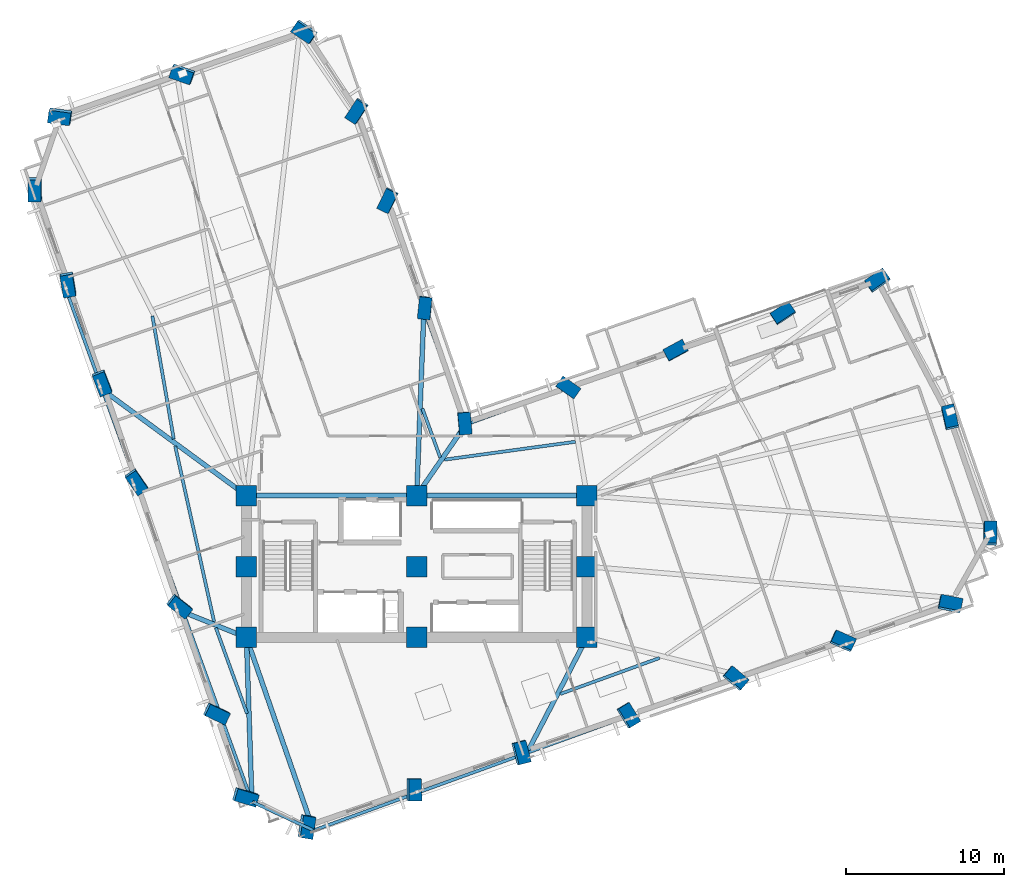
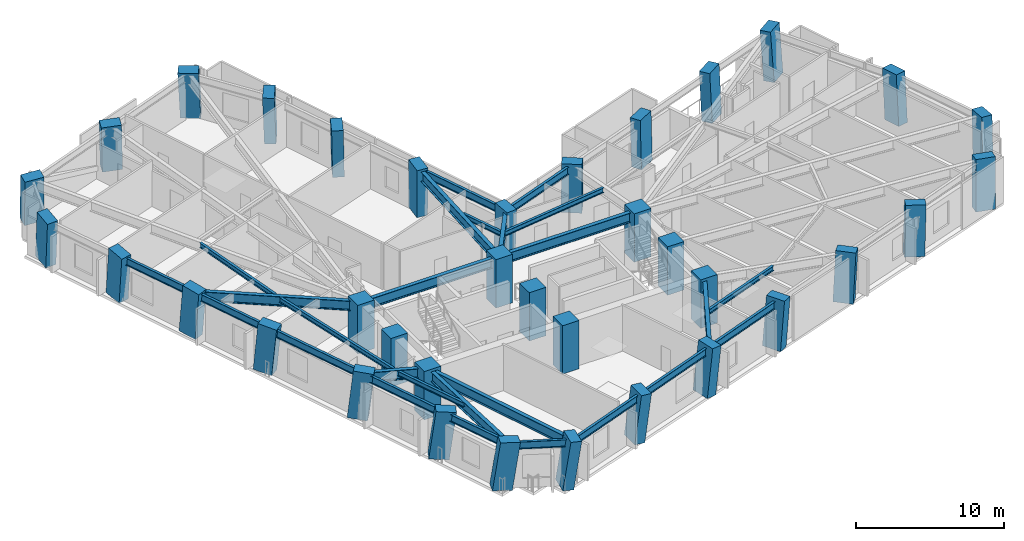
# One storey, part 1 of 15: 36 columns, 26 beams.
"""IFC4 building model written with IfcOpenShell, lengths in metres."""

from ifc_helpers import new_model, si_unit, direction, frame, origin, origin_2d, place, context, subcontext, project, spatial, rectangle, i_section, extrude, material, material_profile, profile_set, type_object, element, save


model = new_model("IFC4")

# Units and contexts
model_context = context("Model", 3, precision=1e-05, world=origin(), true_north=direction((0.0, 1.0)))
body_context = subcontext(model_context, "Body", "Model", "MODEL_VIEW")
ifc_project = project(units=[si_unit("LENGTHUNIT", "METRE"), si_unit("AREAUNIT", "SQUARE_METRE"), si_unit("VOLUMEUNIT", "CUBIC_METRE"), si_unit("PLANEANGLEUNIT", "RADIAN"), si_unit("MASSUNIT", "GRAM", prefix="KILO")], contexts=[model_context])

# Site, building, storey
site_placement = place(None, origin())
site = spatial("IfcSite", under=ifc_project, at=site_placement, CompositionType="ELEMENT")
building_placement = place(site_placement, origin())
building = spatial("IfcBuilding", under=site, at=building_placement, Name="Gaonmaruhae Medical Tower", CompositionType="ELEMENT")
storey_placement = place(building_placement, frame((0.0, 0.0, 104.39990234375)))
storey = spatial("IfcBuildingStorey", under=building, at=storey_placement, Name="L24", CompositionType="ELEMENT", Elevation=104.39990234375)

# Columns
ifc_material_1 = material(Name="Concrete C60/75", Category="concrete")
ifc_material_profile_1 = material_profile(ifc_material_1, rectangle(XDim=1.300048828125, YDim=1.300048828125, at=origin_2d()), Name="RC-1300x1300")
ifc_profile_set_1 = profile_set([ifc_material_profile_1], Name="Concrete C60/75")
column_type_1 = type_object("IfcColumnType", Name="CC-03 Zone 2 Core Column (RC-1300x1300)", PredefinedType="COLUMN", material=ifc_profile_set_1)
for number, where, z_axis, x_axis, name in (
    (1, (14.0, 7.800048828125, 0.0), (0.0, 0.0, 1.0), (1.0, 0.0, 0.0), "L24 Plumb Core Column CC11"),
    (2, (14.0, 12.300048828125, 0.0), (0.0, 0.0, 1.0), (1.0, 0.0, 0.0), "L24 Plumb Core Column CC12"),
    (3, (14.0, 16.800048828125, 0.0), (0.0, 0.0, 1.0), (1.0, 0.0, 0.0), "L24 Plumb Core Column CC13"),
    (4, (24.800048828125, 7.800048828125, 0.0), (0.0, 0.0, 1.0), (1.0, 0.0, 0.0), "L24 Plumb Core Column CC21"),
    (5, (24.800048828125, 12.300048828125, 0.0), (0.0, 0.0, 1.0), (1.0, 0.0, 0.0), "L24 Plumb Core Column CC22"),
    (6, (24.800048828125, 16.800048828125, 0.0), (0.0, 0.0, 1.0), (1.0, 0.0, 0.0), "L24 Plumb Core Column CC23"),
    (7, (35.60009765625, 7.800048828125, 0.0), (0.0, 0.0, 1.0), (1.0, 0.0, 0.0), "L24 Plumb Core Column CC31"),
    (8, (35.60009765625, 12.300048828125, 0.0), (0.0, 0.0, 1.0), (1.0, 0.0, 0.0), "L24 Plumb Core Column CC32"),
    (9, (35.60009765625, 16.800048828125, 0.0), (0.0, 0.0, 1.0), (1.0, 0.0, 0.0), "L24 Plumb Core Column CC33"),
):
    element("IfcColumn", number, at=place(storey_placement, frame(where, z_axis=z_axis, x_axis=x_axis)), inside=storey, type_object=column_type_1, Name=name, PredefinedType="COLUMN", context=body_context, shape_type="SweptSolid", body=[
        extrude(rectangle(XDim=1.300048828125, YDim=1.300048828125, at=origin_2d()), origin(), (0.0, 0.0, 1.0), 4.0),
    ])
ifc_material_profile_2 = material_profile(ifc_material_1, rectangle(XDim=1.39990234375, YDim=0.800048828125, at=origin_2d()), Name="RC-1400x800")
ifc_profile_set_2 = profile_set([ifc_material_profile_2], Name="Concrete C60/75")
column_type_2 = type_object("IfcColumnType", Name="TC-02 Mid Raking Tube Pier Column (RC-1400x800)", PredefinedType="COLUMN", material=ifc_profile_set_2)
column_1_placement = place(storey_placement, frame((17.7734375, -4.181884765625, 0.001953125), z_axis=(0.119540750014, -0.063976998868, 0.990765841509), x_axis=(0.161760568427, 0.985842286743, 0.044141864161)))
element("IfcColumn", 10, at=column_1_placement, inside=storey, type_object=column_type_2, Name="L24 Perimeter Tube Column S01", PredefinedType="COLUMN", context=body_context, shape_type="SweptSolid", body=[
    extrude(rectangle(XDim=1.39990234375, YDim=0.800048828125, at=origin_2d()), origin(), (0.0, 0.0, 1.0), 4.03369140625),
])
column_2_placement = place(storey_placement, frame((24.5810546875, -1.837646484375, 0.001953125), z_axis=(0.110012715374, -0.036225918962, 0.993269794795), x_axis=(-0.011425164506, 0.999223466289, 0.037708487545)))
element("IfcColumn", 11, at=column_2_placement, inside=storey, type_object=column_type_2, Name="L24 Perimeter Tube Column S02", PredefinedType="COLUMN", context=body_context, shape_type="SweptSolid", body=[
    extrude(rectangle(XDim=1.39990234375, YDim=0.800048828125, at=origin_2d()), origin(), (0.0, 0.0, 1.0), 4.0234375),
])
column_3_placement = place(storey_placement, frame((31.388916015625, 0.506591796875, 0.001953125), z_axis=(0.100228414923, -0.008327042356, 0.994929608167), x_axis=(-0.244520655931, 0.969091071717, 0.032743603058)))
element("IfcColumn", 12, at=column_3_placement, inside=storey, type_object=column_type_2, Name="L24 Perimeter Tube Column S03", PredefinedType="COLUMN", context=body_context, shape_type="SweptSolid", body=[
    extrude(rectangle(XDim=1.39990234375, YDim=0.800048828125, at=origin_2d()), origin(), (0.0, 0.0, 1.0), 4.0166015625),
])
column_4_placement = place(storey_placement, frame((38.196533203125, 2.8505859375, 0.001953125), z_axis=(0.090452237625, 0.019769318916, 0.995704557958), x_axis=(-0.518581513534, 0.854496683427, 0.030143520588)))
element("IfcColumn", 13, at=column_4_placement, inside=storey, type_object=column_type_2, Name="L24 Perimeter Tube Column S04", PredefinedType="COLUMN", context=body_context, shape_type="SweptSolid", body=[
    extrude(rectangle(XDim=1.39990234375, YDim=0.800048828125, at=origin_2d()), origin(), (0.0, 0.0, 1.0), 4.013671875),
])
column_5_placement = place(storey_placement, frame((45.00439453125, 5.19482421875, 0.001953125), z_axis=(0.080468927595, 0.047746113501, 0.995612906876), x_axis=(-0.761244761344, 0.647748745113, 0.030462707212)))
element("IfcColumn", 14, at=column_5_placement, inside=storey, type_object=column_type_2, Name="L24 Perimeter Tube Column S05", PredefinedType="COLUMN", context=body_context, shape_type="SweptSolid", body=[
    extrude(rectangle(XDim=1.39990234375, YDim=0.800048828125, at=origin_2d()), origin(), (0.0, 0.0, 1.0), 4.013916015625),
])
column_6_placement = place(storey_placement, frame((51.81201171875, 7.538818359375, 0.001953125), z_axis=(0.070545957231, 0.075710820594, 0.994631157547), x_axis=(-0.912513417221, 0.407656941268, 0.033690972483)))
element("IfcColumn", 15, at=column_6_placement, inside=storey, type_object=column_type_2, Name="L24 Perimeter Tube Column S06", PredefinedType="COLUMN", context=body_context, shape_type="SweptSolid", body=[
    extrude(rectangle(XDim=1.39990234375, YDim=0.800048828125, at=origin_2d()), origin(), (0.0, 0.0, 1.0), 4.017822265625),
])
column_7_placement = place(storey_placement, frame((58.619873046875, 9.883056640625, 0.001953125), z_axis=(0.060529263913, 0.103469863963, 0.992789099186), x_axis=(-0.979335478518, 0.198441171378, 0.03902719587)))
element("IfcColumn", 16, at=column_7_placement, inside=storey, type_object=column_type_2, Name="L24 Perimeter Tube Column S07", PredefinedType="COLUMN", context=body_context, shape_type="SweptSolid", body=[
    extrude(rectangle(XDim=1.39990234375, YDim=0.800048828125, at=origin_2d()), origin(), (0.0, 0.0, 1.0), 4.025390625),
])
column_8_placement = place(storey_placement, frame((61.153076171875, 14.351318359375, 0.001953125), z_axis=(0.042023929581, 0.113701108175, 0.992625834513), x_axis=(-0.019996417235, -0.993208774939, 0.114614452328)))
element("IfcColumn", 17, at=column_8_placement, inside=storey, type_object=column_type_2, Name="L24 Perimeter Tube Column E01", PredefinedType="COLUMN", context=body_context, shape_type="SweptSolid", body=[
    extrude(rectangle(XDim=1.39990234375, YDim=0.800048828125, at=origin_2d()), origin(), (0.0, 0.0, 1.0), 4.026123046875),
])
column_9_placement = place(storey_placement, frame((58.613525390625, 21.726318359375, 0.001953125), z_axis=(0.011848275116, 0.103231894472, 0.994586745508), x_axis=(0.216215786145, -0.971389712684, 0.098248460111)))
element("IfcColumn", 18, at=column_9_placement, inside=storey, type_object=column_type_2, Name="L24 Perimeter Tube Column E02", PredefinedType="COLUMN", context=body_context, shape_type="SweptSolid", body=[
    extrude(rectangle(XDim=1.39990234375, YDim=0.800048828125, at=origin_2d()), origin(), (0.0, 0.0, 1.0), 4.01806640625),
])
column_10_placement = place(storey_placement, frame((54.037109375, 30.409423828125, 0.001953125), z_axis=(-0.02385577357, 0.084225486278, 0.99616111625), x_axis=(-0.821349490594, -0.569712887579, 0.028499825041)))
element("IfcColumn", 19, at=column_10_placement, inside=storey, type_object=column_type_2, Name="L24 Perimeter Tube Column E03", PredefinedType="COLUMN", context=body_context, shape_type="SweptSolid", body=[
    extrude(rectangle(XDim=1.39990234375, YDim=0.800048828125, at=origin_2d()), origin(), (0.0, 0.0, 1.0), 4.01171875),
])
column_11_placement = place(storey_placement, frame((48.033203125, 28.342041015625, 0.001953125), z_axis=(-0.015182907326, 0.059573094205, 0.998108473951), x_axis=(-0.835977482672, -0.548398618268, 0.020015092972)))
element("IfcColumn", 20, at=column_11_placement, inside=storey, type_object=column_type_2, Name="L24 Perimeter Tube Column EN01", PredefinedType="COLUMN", context=body_context, shape_type="SweptSolid", body=[
    extrude(rectangle(XDim=1.39990234375, YDim=0.800048828125, at=origin_2d()), origin(), (0.0, 0.0, 1.0), 4.00390625),
])
column_12_placement = place(storey_placement, frame((41.225341796875, 25.998046875, 0.001953125), z_axis=(-0.005190094383, 0.0315069259, 0.99949005825), x_axis=(-0.88005504848, -0.474757872015, 0.010395893631)))
element("IfcColumn", 21, at=column_12_placement, inside=storey, type_object=column_type_2, Name="L24 Perimeter Tube Column EN02", PredefinedType="COLUMN", context=body_context, shape_type="SweptSolid", body=[
    extrude(rectangle(XDim=1.39990234375, YDim=0.800048828125, at=origin_2d()), origin(), (0.0, 0.0, 1.0), 3.998291015625),
])
column_13_placement = place(storey_placement, frame((34.417724609375, 23.65380859375, 0.001953125), z_axis=(0.004703934114, 0.003421042992, 0.999983084591), x_axis=(-0.819421526398, 0.573188255481, 0.001893635239)))
element("IfcColumn", 22, at=column_13_placement, inside=storey, type_object=column_type_2, Name="L24 Perimeter Tube Column EN03", PredefinedType="COLUMN", context=body_context, shape_type="SweptSolid", body=[
    extrude(rectangle(XDim=1.39990234375, YDim=0.800048828125, at=origin_2d()), origin(), (0.0, 0.0, 1.0), 3.996337890625),
])
column_14_placement = place(storey_placement, frame((27.846435546875, 21.39111328125, 0.001953125), z_axis=(0.014289820189, -0.023755299374, 0.99961566954), x_axis=(-0.087476556441, 0.9958549209, 0.024916432185)))
element("IfcColumn", 23, at=column_14_placement, inside=storey, type_object=column_type_2, Name="L24 Perimeter Tube Column KN01", PredefinedType="COLUMN", context=body_context, shape_type="SweptSolid", body=[
    extrude(rectangle(XDim=1.39990234375, YDim=0.800048828125, at=origin_2d()), origin(), (0.0, 0.0, 1.0), 3.997802734375),
])
column_15_placement = place(storey_placement, frame((25.3232421875, 28.71875, 0.001953125), z_axis=(-0.015933294599, -0.03443056764, 0.999280073921), x_axis=(0.101345028105, 0.994204412113, 0.035871607353)))
element("IfcColumn", 24, at=column_15_placement, inside=storey, type_object=column_type_2, Name="L24 Perimeter Tube Column NE01", PredefinedType="COLUMN", context=body_context, shape_type="SweptSolid", body=[
    extrude(rectangle(XDim=1.39990234375, YDim=0.800048828125, at=origin_2d()), origin(), (0.0, 0.0, 1.0), 3.999267578125),
])
column_16_placement = place(storey_placement, frame((22.97900390625, 35.526611328125, 0.001953125), z_axis=(-0.044021610011, -0.044326468806, 0.998046723363), x_axis=(0.433965713983, 0.898990928956, 0.059068339596)))
element("IfcColumn", 25, at=column_16_placement, inside=storey, type_object=column_type_2, Name="L24 Perimeter Tube Column NE02", PredefinedType="COLUMN", context=body_context, shape_type="SweptSolid", body=[
    extrude(rectangle(XDim=1.39990234375, YDim=0.800048828125, at=origin_2d()), origin(), (0.0, 0.0, 1.0), 4.004150390625),
])
column_17_placement = place(storey_placement, frame((21.025634765625, 41.19970703125, 0.001953125), z_axis=(-0.067319967369, -0.052529052296, 0.996347690647), x_axis=(0.542435460249, 0.836208902445, 0.080736874693)))
element("IfcColumn", 26, at=column_17_placement, inside=storey, type_object=column_type_2, Name="L24 Perimeter Tube Column NE03", PredefinedType="COLUMN", context=body_context, shape_type="SweptSolid", body=[
    extrude(rectangle(XDim=1.39990234375, YDim=0.800048828125, at=origin_2d()), origin(), (0.0, 0.0, 1.0), 4.010986328125),
])
column_18_placement = place(storey_placement, frame((17.70263671875, 46.242431640625, 0.001953125), z_axis=(-0.087802098042, -0.066185537252, 0.993936751629), x_axis=(0.827550237505, -0.560249192441, 0.03579730122)))
element("IfcColumn", 27, at=column_18_placement, inside=storey, type_object=column_type_2, Name="L24 Perimeter Tube Column N01", PredefinedType="COLUMN", context=body_context, shape_type="SweptSolid", body=[
    extrude(rectangle(XDim=1.39990234375, YDim=0.800048828125, at=origin_2d()), origin(), (0.0, 0.0, 1.0), 4.020751953125),
])
column_19_placement = place(storey_placement, frame((9.949462890625, 43.57275390625, 0.001953125), z_axis=(-0.076379070002, -0.097898569883, 0.99226110862), x_axis=(0.944191003905, -0.326908449658, 0.040425408927)))
element("IfcColumn", 28, at=column_19_placement, inside=storey, type_object=column_type_2, Name="L24 Perimeter Tube Column N02", PredefinedType="COLUMN", context=body_context, shape_type="SweptSolid", body=[
    extrude(rectangle(XDim=1.39990234375, YDim=0.800048828125, at=origin_2d()), origin(), (0.0, 0.0, 1.0), 4.027587890625),
])
column_20_placement = place(storey_placement, frame((2.1962890625, 40.903076171875, 0.001953125), z_axis=(-0.064981154168, -0.129357832483, 0.989466523324), x_axis=(0.989509068542, -0.136567126469, 0.047129855094)))
element("IfcColumn", 29, at=column_20_placement, inside=storey, type_object=column_type_2, Name="L24 Perimeter Tube Column N03", PredefinedType="COLUMN", context=body_context, shape_type="SweptSolid", body=[
    extrude(rectangle(XDim=1.39990234375, YDim=0.800048828125, at=origin_2d()), origin(), (0.0, 0.0, 1.0), 4.038818359375),
])
column_21_placement = place(storey_placement, frame((0.613037109375, 36.2861328125, 0.001953125), z_axis=(-0.045950038231, -0.135733994511, 0.989679178684), x_axis=(-0.008321349387, 0.990743278816, 0.13549358149)))
element("IfcColumn", 30, at=column_21_placement, inside=storey, type_object=column_type_2, Name="L24 Perimeter Tube Column W01", PredefinedType="COLUMN", context=body_context, shape_type="SweptSolid", body=[
    extrude(rectangle(XDim=1.39990234375, YDim=0.800048828125, at=origin_2d()), origin(), (0.0, 0.0, 1.0), 4.0380859375),
])
column_22_placement = place(storey_placement, frame((2.69677734375, 30.23486328125, 0.001953125), z_axis=(-0.02126385017, -0.1272196164, 0.991646619456), x_axis=(-0.166541332552, 0.978463301857, 0.121957170638)))
element("IfcColumn", 31, at=column_22_placement, inside=storey, type_object=column_type_2, Name="L24 Perimeter Tube Column W02", PredefinedType="COLUMN", context=body_context, shape_type="SweptSolid", body=[
    extrude(rectangle(XDim=1.39990234375, YDim=0.800048828125, at=origin_2d()), origin(), (0.0, 0.0, 1.0), 4.030029296875),
])
column_23_placement = place(storey_placement, frame((4.845703125, 23.994384765625, 0.001953125), z_axis=(0.004306973626, -0.11829012071, 0.992969736357), x_axis=(-0.359514473888, 0.926403444475, 0.111919619059)))
element("IfcColumn", 32, at=column_23_placement, inside=storey, type_object=column_type_2, Name="L24 Perimeter Tube Column W03", PredefinedType="COLUMN", context=body_context, shape_type="SweptSolid", body=[
    extrude(rectangle(XDim=1.39990234375, YDim=0.800048828125, at=origin_2d()), origin(), (0.0, 0.0, 1.0), 4.024658203125),
])
column_24_placement = place(storey_placement, frame((7.0107421875, 17.706787109375, 0.001953125), z_axis=(0.0301059691, -0.109255533023, 0.993557677807), x_axis=(-0.563432912957, 0.819183444414, 0.107153334032)))
element("IfcColumn", 33, at=column_24_placement, inside=storey, type_object=column_type_2, Name="L24 Perimeter Tube Column W04", PredefinedType="COLUMN", context=body_context, shape_type="SweptSolid", body=[
    extrude(rectangle(XDim=1.39990234375, YDim=0.800048828125, at=origin_2d()), origin(), (0.0, 0.0, 1.0), 4.022216796875),
])
column_25_placement = place(storey_placement, frame((9.729248046875, 9.811767578125, 0.001953125), z_axis=(0.062498480649, -0.097813156122, 0.993240417223), x_axis=(-0.780001270901, 0.616078452435, 0.109751345492)))
element("IfcColumn", 34, at=column_25_placement, inside=storey, type_object=column_type_2, Name="L24 Perimeter Tube Column W05", PredefinedType="COLUMN", context=body_context, shape_type="SweptSolid", body=[
    extrude(rectangle(XDim=1.39990234375, YDim=0.800048828125, at=origin_2d()), origin(), (0.0, 0.0, 1.0), 4.0234375),
])
column_26_placement = place(storey_placement, frame((12.073486328125, 3.00390625, 0.001953125), z_axis=(0.090361322015, -0.087755328154, 0.992035197896), x_axis=(-0.899708448395, 0.4199288869, 0.119098437582)))
element("IfcColumn", 35, at=column_26_placement, inside=storey, type_object=column_type_2, Name="L24 Perimeter Tube Column W06", PredefinedType="COLUMN", context=body_context, shape_type="SweptSolid", body=[
    extrude(rectangle(XDim=1.39990234375, YDim=0.800048828125, at=origin_2d()), origin(), (0.0, 0.0, 1.0), 4.0283203125),
])
column_27_placement = place(storey_placement, frame((13.896728515625, -2.291015625, 0.001953125), z_axis=(0.111884441376, -0.079934746921, 0.990501038875), x_axis=(-0.951295663256, 0.279522776838, 0.130013761962)))
element("IfcColumn", 36, at=column_27_placement, inside=storey, type_object=column_type_2, Name="L24 Perimeter Tube Column W07", PredefinedType="COLUMN", context=body_context, shape_type="SweptSolid", body=[
    extrude(rectangle(XDim=1.39990234375, YDim=0.800048828125, at=origin_2d()), origin(), (0.0, 0.0, 1.0), 4.03466796875),
])

# Beams
ifc_material_2 = material(Name="Steel SM355", Category="steel")
ifc_material_profile_3 = material_profile(ifc_material_2, i_section(OverallWidth=0.199951171875, OverallDepth=0.39990234375, WebThickness=0.008056640625, FlangeThickness=0.012939453125, FilletRadius=0.012939453125, at=origin_2d()), Name="H-400x200x8x13")
ifc_profile_set_3 = profile_set([ifc_material_profile_3], Name="Steel SM355")
beam_type_1 = type_object("IfcBeamType", Name="FJ-01 Lower Zone Ward Floor Joist (H-400x200x8x13)", PredefinedType="JOIST", material=ifc_profile_set_3)
beam_1_placement = place(storey_placement, frame((33.909912109375, 4.21435546875, 3.580078125), z_axis=(0.940000798041, 0.341172243422, 0.0), x_axis=(-0.341172243422, 0.940000798041, 0.0)))
element("IfcBeam", 37, at=beam_1_placement, inside=storey, type_object=beam_type_1, Name="L24 Secondary Floor Joist FJ02", PredefinedType="JOIST", context=body_context, shape_type="SweptSolid", body=[
    extrude(i_section(OverallWidth=0.199951171875, OverallDepth=0.39990234375, WebThickness=0.008056640625, FlangeThickness=0.012939453125, FilletRadius=0.012939453125, at=origin_2d()), origin(), (0.0, 0.0, 1.0), 6.697265625),
])
beam_2_placement = place(storey_placement, frame((34.86376953125, 20.212646484375, 3.580078125), z_axis=(-0.9907698076, -0.135555111847, 0.0), x_axis=(0.135555111847, -0.9907698076, 0.0)))
element("IfcBeam", 38, at=beam_2_placement, inside=storey, type_object=beam_type_1, Name="L24 Secondary Floor Joist FJ08", PredefinedType="JOIST", context=body_context, shape_type="SweptSolid", body=[
    extrude(i_section(OverallWidth=0.199951171875, OverallDepth=0.39990234375, WebThickness=0.008056640625, FlangeThickness=0.012939453125, FilletRadius=0.012939453125, at=origin_2d()), origin(), (0.0, 0.0, 1.0), 8.382080078125),
])
beam_3_placement = place(storey_placement, frame((26.286865234375, 19.226806640625, 3.580078125), z_axis=(-0.341140144168, 0.94001244781, 0.0), x_axis=(-0.94001244781, -0.341140144168, 0.0)))
element("IfcBeam", 39, at=beam_3_placement, inside=storey, type_object=beam_type_1, Name="L24 Secondary Floor Joist FJ09", PredefinedType="JOIST", context=body_context, shape_type="SweptSolid", body=[
    extrude(i_section(OverallWidth=0.199951171875, OverallDepth=0.39990234375, WebThickness=0.008056640625, FlangeThickness=0.012939453125, FilletRadius=0.012939453125, at=origin_2d()), origin(), (0.0, 0.0, 1.0), 3.2841796875),
])
beam_4_placement = place(storey_placement, frame((8.035400390625, 28.1953125, 3.580078125), z_axis=(0.171151573426, -0.985244710168, 0.0), x_axis=(0.985244710168, 0.171151573426, 0.0)))
element("IfcBeam", 40, at=beam_4_placement, inside=storey, type_object=beam_type_1, Name="L24 Secondary Floor Joist FJ13", PredefinedType="JOIST", context=body_context, shape_type="SweptSolid", body=[
    extrude(i_section(OverallWidth=0.199951171875, OverallDepth=0.39990234375, WebThickness=0.008056640625, FlangeThickness=0.012939453125, FilletRadius=0.012939453125, at=origin_2d()), origin(), (0.0, 0.0, 1.0), 7.93408203125),
])
beam_5_placement = place(storey_placement, frame((9.48193359375, 19.9306640625, 3.580078125), z_axis=(0.216334485145, -0.976319307674, 0.0), x_axis=(0.976319307674, 0.216334485145, 0.0)))
element("IfcBeam", 41, at=beam_5_placement, inside=storey, type_object=beam_type_1, Name="L24 Secondary Floor Joist FJ14", PredefinedType="JOIST", context=body_context, shape_type="SweptSolid", body=[
    extrude(i_section(OverallWidth=0.199951171875, OverallDepth=0.39990234375, WebThickness=0.008056640625, FlangeThickness=0.012939453125, FilletRadius=0.012939453125, at=origin_2d()), origin(), (0.0, 0.0, 1.0), 11.408447265625),
])
beam_6_placement = place(storey_placement, frame((12.061279296875, 8.4140625, 3.580078125), z_axis=(0.341181175717, -0.939997556027, 0.0), x_axis=(0.939997556027, 0.341181175717, 0.0)))
element("IfcBeam", 42, at=beam_6_placement, inside=storey, type_object=beam_type_1, Name="L24 Secondary Floor Joist FJ15", PredefinedType="JOIST", context=body_context, shape_type="SweptSolid", body=[
    extrude(i_section(OverallWidth=0.199951171875, OverallDepth=0.39990234375, WebThickness=0.008056640625, FlangeThickness=0.012939453125, FilletRadius=0.012939453125, at=origin_2d()), origin(), (0.0, 0.0, 1.0), 5.791748046875),
])
ifc_material_3 = material(Name="Steel SM420", Category="steel")
ifc_material_profile_4 = material_profile(ifc_material_3, i_section(OverallWidth=0.300048828125, OverallDepth=0.800048828125, WebThickness=0.013916015625, FlangeThickness=0.02587890625, FilletRadius=0.01806640625, at=origin_2d()), Name="H-800x300x14x26")
ifc_profile_set_4 = profile_set([ifc_material_profile_4], Name="Steel SM420")
beam_type_2 = type_object("IfcBeamType", Name="PG-02 Zone 2 Radial Floor Girder (H-800x300x14x26)", PredefinedType="BEAM", material=ifc_profile_set_4)
for number, where, z_axis, x_axis, name in (
    (43, (14.050048828125, 16.800048828125, 3.380126953125), (1.0, 0.0, 0.0), (0.0, 1.0, 0.0), "L24 Beam BM-L24-CG-N1"),
    (44, (24.85009765625, 16.800048828125, 3.380126953125), (1.0, 0.0, 0.0), (0.0, 1.0, 0.0), "L24 Beam BM-L24-CG-N2"),
):
    element("IfcBeam", number, at=place(storey_placement, frame(where, z_axis=z_axis, x_axis=x_axis)), inside=storey, type_object=beam_type_2, Name=name, PredefinedType="BEAM", context=body_context, shape_type="SweptSolid", body=[
        extrude(i_section(OverallWidth=0.300048828125, OverallDepth=0.800048828125, WebThickness=0.013916015625, FlangeThickness=0.02587890625, FilletRadius=0.01806640625, at=origin_2d()), origin(), (0.0, 0.0, 1.0), 10.699951171875),
    ])
beam_7_placement = place(storey_placement, frame((14.016357421875, 7.752685546875, 3.380126953125), z_axis=(0.328424891356, -0.944530089906, 0.0), x_axis=(0.944530089906, 0.328424891356, 0.0)))
element("IfcBeam", 45, at=beam_7_placement, inside=storey, type_object=beam_type_2, Name="L24 Radial Primary Girder S01", PredefinedType="BEAM", context=body_context, shape_type="SweptSolid", body=[
    extrude(i_section(OverallWidth=0.300048828125, OverallDepth=0.800048828125, WebThickness=0.013916015625, FlangeThickness=0.02587890625, FilletRadius=0.01806640625, at=origin_2d()), origin(), (0.0, 0.0, 1.0), 12.85888671875),
])
beam_8_placement = place(storey_placement, frame((35.576904296875, 7.755615234375, 3.380126953125), z_axis=(-0.461177450184, -0.887307928197, 0.0), x_axis=(0.887307928197, -0.461177450184, 0.0)))
element("IfcBeam", 46, at=beam_8_placement, inside=storey, type_object=beam_type_2, Name="L24 Radial Primary Girder S03", PredefinedType="BEAM", context=body_context, shape_type="SweptSolid", body=[
    extrude(i_section(OverallWidth=0.300048828125, OverallDepth=0.800048828125, WebThickness=0.013916015625, FlangeThickness=0.02587890625, FilletRadius=0.01806640625, at=origin_2d()), origin(), (0.0, 0.0, 1.0), 8.1572265625),
])
beam_9_placement = place(storey_placement, frame((24.828369140625, 16.841064453125, 3.380126953125), z_axis=(0.568073288796, 0.822977969666, 0.0), x_axis=(-0.822977969666, 0.568073288796, 0.0)))
element("IfcBeam", 47, at=beam_9_placement, inside=storey, type_object=beam_type_2, Name="L24 Radial Primary Girder KN01", PredefinedType="BEAM", context=body_context, shape_type="SweptSolid", body=[
    extrude(i_section(OverallWidth=0.300048828125, OverallDepth=0.800048828125, WebThickness=0.013916015625, FlangeThickness=0.02587890625, FilletRadius=0.01806640625, at=origin_2d()), origin(), (0.0, 0.0, 1.0), 5.363525390625),
])
beam_10_placement = place(storey_placement, frame((24.802001953125, 16.849853515625, 3.380126953125), z_axis=(0.038949646588, 0.999241174607, 0.0), x_axis=(-0.999241174607, 0.038949646588, 0.0)))
element("IfcBeam", 48, at=beam_10_placement, inside=storey, type_object=beam_type_2, Name="L24 Radial Primary Girder NE01", PredefinedType="BEAM", context=body_context, shape_type="SweptSolid", body=[
    extrude(i_section(OverallWidth=0.300048828125, OverallDepth=0.800048828125, WebThickness=0.013916015625, FlangeThickness=0.02587890625, FilletRadius=0.01806640625, at=origin_2d()), origin(), (0.0, 0.0, 1.0), 11.68994140625),
])
beam_11_placement = place(storey_placement, frame((13.959716796875, 16.82958984375, 3.380126953125), z_axis=(-0.805668999719, 0.592365987285, 0.0), x_axis=(-0.592365987285, -0.805668999719, 0.0)))
element("IfcBeam", 49, at=beam_11_placement, inside=storey, type_object=beam_type_2, Name="L24 Radial Primary Girder W03", PredefinedType="BEAM", context=body_context, shape_type="SweptSolid", body=[
    extrude(i_section(OverallWidth=0.300048828125, OverallDepth=0.800048828125, WebThickness=0.013916015625, FlangeThickness=0.02587890625, FilletRadius=0.01806640625, at=origin_2d()), origin(), (0.0, 0.0, 1.0), 11.24072265625),
])
beam_12_placement = place(storey_placement, frame((13.95361328125, 7.818603515625, 3.380126953125), z_axis=(-0.927634953362, 0.373488143454, 0.0), x_axis=(-0.373488143454, -0.927634953362, 0.0)))
element("IfcBeam", 50, at=beam_12_placement, inside=storey, type_object=beam_type_2, Name="L24 Radial Primary Girder W05", PredefinedType="BEAM", context=body_context, shape_type="SweptSolid", body=[
    extrude(i_section(OverallWidth=0.300048828125, OverallDepth=0.800048828125, WebThickness=0.013916015625, FlangeThickness=0.02587890625, FilletRadius=0.01806640625, at=origin_2d()), origin(), (0.0, 0.0, 1.0), 4.232666015625),
])
beam_13_placement = place(storey_placement, frame((14.001708984375, 7.75, 3.380126953125), z_axis=(0.033429051119, -0.999441093082, 0.0), x_axis=(0.999441093082, 0.033429051119, 0.0)))
element("IfcBeam", 51, at=beam_13_placement, inside=storey, type_object=beam_type_2, Name="L24 Radial Primary Girder W07", PredefinedType="BEAM", context=body_context, shape_type="SweptSolid", body=[
    extrude(i_section(OverallWidth=0.300048828125, OverallDepth=0.800048828125, WebThickness=0.013916015625, FlangeThickness=0.02587890625, FilletRadius=0.01806640625, at=origin_2d()), origin(), (0.0, 0.0, 1.0), 10.319580078125),
])
ifc_material_profile_5 = material_profile(ifc_material_2, i_section(OverallWidth=0.199951171875, OverallDepth=0.60009765625, WebThickness=0.010986328125, FlangeThickness=0.01708984375, FilletRadius=0.012939453125, at=origin_2d()), Name="H-600x200x11x17")
ifc_profile_set_5 = profile_set([ifc_material_profile_5], Name="Steel SM355")
beam_type_3 = type_object("IfcBeamType", Name="SP-01 Lower Perimeter Spandrel Beam (H-600x200x11x17)", PredefinedType="SPANDREL", material=ifc_profile_set_5)
beam_14_placement = place(storey_placement, frame((18.29345703125, -4.426513671875, 3.47998046875), z_axis=(0.939988490084, 0.341206152507, 0.0), x_axis=(-0.341206152507, 0.939988490084, 0.0)))
element("IfcBeam", 52, at=beam_14_placement, inside=storey, type_object=beam_type_3, Name="L24 Perimeter Spandrel Beam S01-S02", PredefinedType="SPANDREL", context=body_context, shape_type="SweptSolid", body=[
    extrude(i_section(OverallWidth=0.199951171875, OverallDepth=0.60009765625, WebThickness=0.010986328125, FlangeThickness=0.01708984375, FilletRadius=0.012939453125, at=origin_2d()), origin(), (0.0, 0.0, 1.0), 7.1201171875),
])
beam_15_placement = place(storey_placement, frame((25.0615234375, -1.9697265625, 3.47998046875), z_axis=(0.939995495643, 0.341186852283, 0.0), x_axis=(-0.341186852283, 0.939995495643, 0.0)))
element("IfcBeam", 53, at=beam_15_placement, inside=storey, type_object=beam_type_3, Name="L24 Perimeter Spandrel Beam S02-S03", PredefinedType="SPANDREL", context=body_context, shape_type="SweptSolid", body=[
    extrude(i_section(OverallWidth=0.199951171875, OverallDepth=0.60009765625, WebThickness=0.010986328125, FlangeThickness=0.01708984375, FilletRadius=0.012939453125, at=origin_2d()), origin(), (0.0, 0.0, 1.0), 7.119873046875),
])
beam_16_placement = place(storey_placement, frame((31.829345703125, 0.48681640625, 3.47998046875), z_axis=(0.939988490084, 0.341206152507, 0.0), x_axis=(-0.341206152507, 0.939988490084, 0.0)))
element("IfcBeam", 54, at=beam_16_placement, inside=storey, type_object=beam_type_3, Name="L24 Perimeter Spandrel Beam S03-S04", PredefinedType="SPANDREL", context=body_context, shape_type="SweptSolid", body=[
    extrude(i_section(OverallWidth=0.199951171875, OverallDepth=0.60009765625, WebThickness=0.010986328125, FlangeThickness=0.01708984375, FilletRadius=0.012939453125, at=origin_2d()), origin(), (0.0, 0.0, 1.0), 7.1201171875),
])
beam_17_placement = place(storey_placement, frame((34.39892578125, 23.65380859375, 3.47998046875), z_axis=(-0.939993515355, -0.341192308076, 0.0), x_axis=(0.341192308076, -0.939993515355, 0.0)))
element("IfcBeam", 55, at=beam_17_placement, inside=storey, type_object=beam_type_3, Name="L24 Perimeter Spandrel Beam EN03-KN01", PredefinedType="SPANDREL", context=body_context, shape_type="SweptSolid", body=[
    extrude(i_section(OverallWidth=0.199951171875, OverallDepth=0.60009765625, WebThickness=0.010986328125, FlangeThickness=0.01708984375, FilletRadius=0.012939453125, at=origin_2d()), origin(), (0.0, 0.0, 1.0), 6.8701171875),
])
beam_18_placement = place(storey_placement, frame((27.89013671875, 21.333740234375, 3.47998046875), z_axis=(-0.341221642861, 0.939982867101, 0.0), x_axis=(-0.939982867101, -0.341221642861, 0.0)))
element("IfcBeam", 56, at=beam_18_placement, inside=storey, type_object=beam_type_3, Name="L24 Perimeter Spandrel Beam KN01-NE01", PredefinedType="SPANDREL", context=body_context, shape_type="SweptSolid", body=[
    extrude(i_section(OverallWidth=0.199951171875, OverallDepth=0.60009765625, WebThickness=0.010986328125, FlangeThickness=0.01708984375, FilletRadius=0.012939453125, at=origin_2d()), origin(), (0.0, 0.0, 1.0), 7.670166015625),
])
beam_19_placement = place(storey_placement, frame((2.624755859375, 29.684326171875, 3.47998046875), z_axis=(0.341201825777, -0.939990060632, 0.0), x_axis=(0.939990060632, 0.341201825777, 0.0)))
element("IfcBeam", 57, at=beam_19_placement, inside=storey, type_object=beam_type_3, Name="L24 Perimeter Spandrel Beam W02-W03", PredefinedType="SPANDREL", context=body_context, shape_type="SweptSolid", body=[
    extrude(i_section(OverallWidth=0.199951171875, OverallDepth=0.60009765625, WebThickness=0.010986328125, FlangeThickness=0.01708984375, FilletRadius=0.012939453125, at=origin_2d()), origin(), (0.0, 0.0, 1.0), 6.52001953125),
])
beam_20_placement = place(storey_placement, frame((4.87646484375, 23.48046875, 3.47998046875), z_axis=(0.341199986792, -0.939990728153, 0.0), x_axis=(0.939990728153, 0.341199986792, 0.0)))
element("IfcBeam", 58, at=beam_20_placement, inside=storey, type_object=beam_type_3, Name="L24 Perimeter Spandrel Beam W03-W04", PredefinedType="SPANDREL", context=body_context, shape_type="SweptSolid", body=[
    extrude(i_section(OverallWidth=0.199951171875, OverallDepth=0.60009765625, WebThickness=0.010986328125, FlangeThickness=0.01708984375, FilletRadius=0.012939453125, at=origin_2d()), origin(), (0.0, 0.0, 1.0), 6.570068359375),
])
beam_21_placement = place(storey_placement, frame((7.1455078125, 17.2294921875, 3.47998046875), z_axis=(0.341207314287, -0.939988068369, 0.0), x_axis=(0.939988068369, 0.341207314287, 0.0)))
element("IfcBeam", 59, at=beam_21_placement, inside=storey, type_object=beam_type_3, Name="L24 Perimeter Spandrel Beam W04-W05", PredefinedType="SPANDREL", context=body_context, shape_type="SweptSolid", body=[
    extrude(i_section(OverallWidth=0.199951171875, OverallDepth=0.60009765625, WebThickness=0.010986328125, FlangeThickness=0.01708984375, FilletRadius=0.012939453125, at=origin_2d()), origin(), (0.0, 0.0, 1.0), 8.27001953125),
])
beam_22_placement = place(storey_placement, frame((9.99462890625, 9.380615234375, 3.47998046875), z_axis=(0.341175855284, -0.939999487112, 0.0), x_axis=(0.939999487112, 0.341175855284, 0.0)))
element("IfcBeam", 60, at=beam_22_placement, inside=storey, type_object=beam_type_3, Name="L24 Perimeter Spandrel Beam W05-W06", PredefinedType="SPANDREL", context=body_context, shape_type="SweptSolid", body=[
    extrude(i_section(OverallWidth=0.199951171875, OverallDepth=0.60009765625, WebThickness=0.010986328125, FlangeThickness=0.01708984375, FilletRadius=0.012939453125, at=origin_2d()), origin(), (0.0, 0.0, 1.0), 7.1201171875),
])
beam_23_placement = place(storey_placement, frame((12.451171875, 2.612548828125, 3.47998046875), z_axis=(0.341220987822, -0.939983104885, 0.0), x_axis=(0.939983104885, 0.341220987822, 0.0)))
element("IfcBeam", 61, at=beam_23_placement, inside=storey, type_object=beam_type_3, Name="L24 Perimeter Spandrel Beam W06-W07", PredefinedType="SPANDREL", context=body_context, shape_type="SweptSolid", body=[
    extrude(i_section(OverallWidth=0.199951171875, OverallDepth=0.60009765625, WebThickness=0.010986328125, FlangeThickness=0.01708984375, FilletRadius=0.012939453125, at=origin_2d()), origin(), (0.0, 0.0, 1.0), 5.52001953125),
])
beam_24_placement = place(storey_placement, frame((14.384521484375, -2.630615234375, 3.47998046875), z_axis=(0.905936942276, -0.423412631625, 0.0), x_axis=(0.423412631625, 0.905936942276, 0.0)))
element("IfcBeam", 62, at=beam_24_placement, inside=storey, type_object=beam_type_3, Name="L24 Perimeter Spandrel Beam W07-S01", PredefinedType="SPANDREL", context=body_context, shape_type="SweptSolid", body=[
    extrude(i_section(OverallWidth=0.199951171875, OverallDepth=0.60009765625, WebThickness=0.010986328125, FlangeThickness=0.01708984375, FilletRadius=0.012939453125, at=origin_2d()), origin(), (0.0, 0.0, 1.0), 4.2333984375),
])

save(model, "model.ifc")
